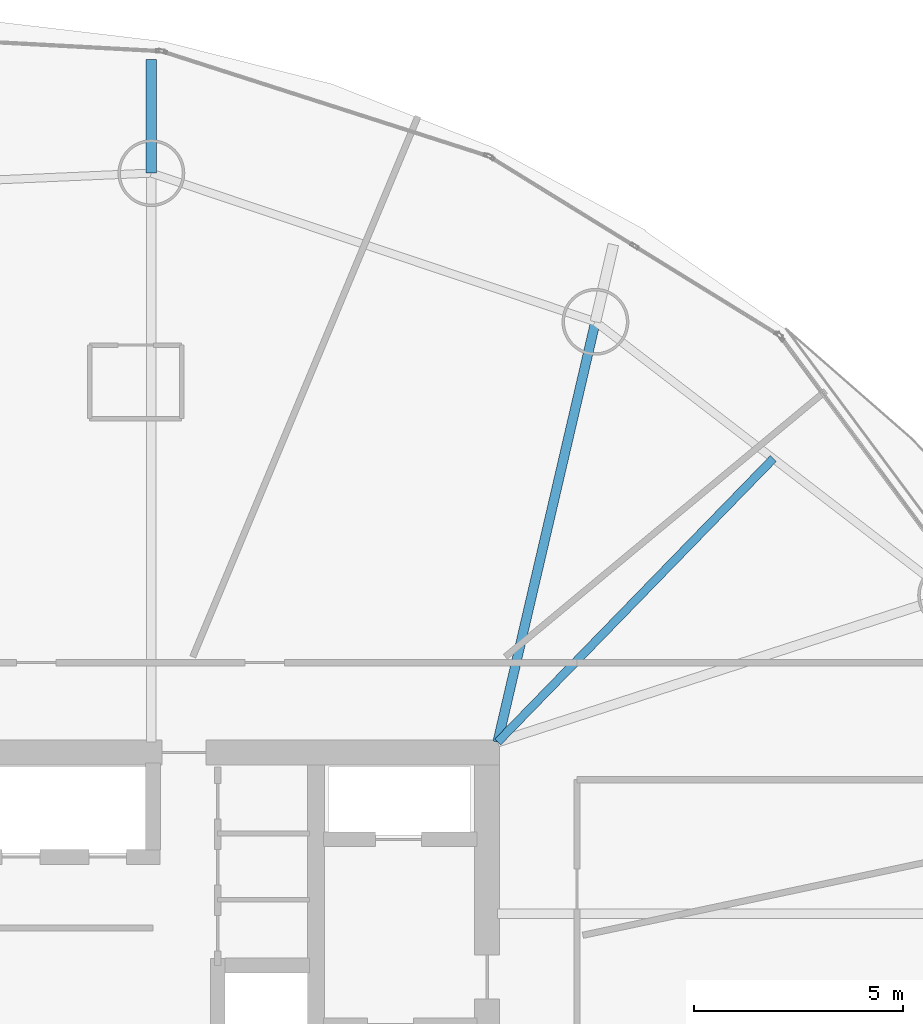
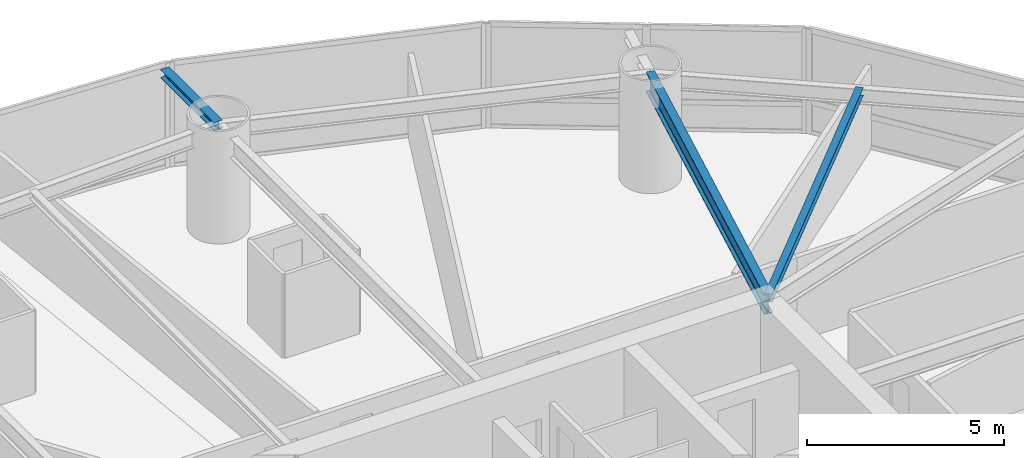
# One storey, part 15 of 26: 3 beams.
"""IFC4 building model written with IfcOpenShell, lengths in metres."""

from ifc_helpers import new_model, si_unit, direction, frame, origin, origin_2d, place, context, subcontext, project, spatial, i_section, extrude, material, material_profile, profile_set, type_object, element, save


model = new_model("IFC4")

# Units and contexts
model_context = context("Model", 3, precision=1e-05, world=origin(), true_north=direction((0.0, 1.0)))
body_context = subcontext(model_context, "Body", "Model", "MODEL_VIEW")
ifc_project = project(units=[si_unit("LENGTHUNIT", "METRE"), si_unit("AREAUNIT", "SQUARE_METRE"), si_unit("VOLUMEUNIT", "CUBIC_METRE"), si_unit("PLANEANGLEUNIT", "RADIAN"), si_unit("MASSUNIT", "GRAM", prefix="KILO")], contexts=[model_context])

# Site, building, storey
site_placement = place(None, origin())
site = spatial("IfcSite", under=ifc_project, at=site_placement, CompositionType="ELEMENT")
building_placement = place(site_placement, origin())
building = spatial("IfcBuilding", under=site, at=building_placement, Name="Bramvorn Convention Spire", CompositionType="ELEMENT")
storey_placement = place(building_placement, frame((0.0, 0.0, 76.39990234375)))
storey = spatial("IfcBuildingStorey", under=building, at=storey_placement, Name="L17", CompositionType="ELEMENT", Elevation=76.39990234375)

# Beams
ifc_material = material(Name="Steel CSA G40.21 Grade 350 (350W)", Category="steel")
ifc_material_profile_1 = material_profile(ifc_material, i_section(OverallWidth=0.201904296875, OverallDepth=0.2470703125, WebThickness=0.00732421875, FlangeThickness=0.010986328125, FilletRadius=0.011962890625, at=origin_2d()))
ifc_profile_set_1 = profile_set([ifc_material_profile_1], Name="Steel CSA G40.21 Grade 350 (350W) - W250X49")
beam_type_1 = type_object("IfcBeamType", Name="BM-W250X49", PredefinedType="JOIST", material=ifc_profile_set_1)
beam_1_placement = place(storey_placement, frame((49.25, 33.449951171875, 3.126708984375), z_axis=(0.697170484005, 0.716905374671, 0.0), x_axis=(-0.716905374671, 0.697170484005, 0.0)))
element("IfcBeam", 1, at=beam_1_placement, inside=storey, type_object=beam_type_1, Name="L17 composite floor joist 03", PredefinedType="JOIST", context=body_context, shape_type="SweptSolid", body=[
    extrude(i_section(OverallWidth=0.201904296875, OverallDepth=0.2470703125, WebThickness=0.00732421875, FlangeThickness=0.010986328125, FilletRadius=0.011962890625, at=origin_2d()), origin(), (0.0, 0.0, 1.0), 9.4638671875),
])
ifc_material_profile_2 = material_profile(ifc_material, i_section(OverallWidth=0.25390625, OverallDepth=0.2529296875, WebThickness=0.008544921875, FlangeThickness=0.01416015625, FilletRadius=0.011962890625, at=origin_2d()))
ifc_profile_set_2 = profile_set([ifc_material_profile_2], Name="Steel CSA G40.21 Grade 350 (350W) - W250X73")
beam_type_2 = type_object("IfcBeamType", Name="BM-W250X73", PredefinedType="BEAM", material=ifc_profile_set_2)
beam_2_placement = place(storey_placement, frame((40.9609375, 47.06884765625, 3.12353515625), z_axis=(0.0, 1.0, 0.0), x_axis=(-1.0, 0.0, 0.0)))
element("IfcBeam", 2, at=beam_2_placement, inside=storey, type_object=beam_type_2, Name="L17 slab-edge cantilever tip beam MC05", PredefinedType="BEAM", context=body_context, shape_type="SweptSolid", body=[
    extrude(i_section(OverallWidth=0.25390625, OverallDepth=0.2529296875, WebThickness=0.008544921875, FlangeThickness=0.01416015625, FilletRadius=0.011962890625, at=origin_2d()), origin(), (0.0, 0.0, 1.0), 2.724365234375),
])
ifc_material_profile_3 = material_profile(ifc_material, i_section(OverallWidth=0.22998046875, OverallDepth=0.616943359375, WebThickness=0.01318359375, FlangeThickness=0.022216796875, FilletRadius=0.02001953125, at=origin_2d()))
ifc_profile_set_3 = profile_set([ifc_material_profile_3], Name="Steel CSA G40.21 Grade 350 (350W) - W610X140")
beam_type_3 = type_object("IfcBeamType", Name="BM-W610X140", PredefinedType="BEAM", material=ifc_profile_set_3)
beam_3_placement = place(storey_placement, frame((49.25, 33.449951171875, 2.941650390625), z_axis=(0.226606328522, 0.973986433106, 0.0), x_axis=(-0.973986433106, 0.226606328522, 0.0)))
element("IfcBeam", 3, at=beam_3_placement, inside=storey, type_object=beam_type_3, Name="L17 radial floor girder MC04", PredefinedType="BEAM", context=body_context, shape_type="SweptSolid", body=[
    extrude(i_section(OverallWidth=0.22998046875, OverallDepth=0.616943359375, WebThickness=0.01318359375, FlangeThickness=0.022216796875, FilletRadius=0.02001953125, at=origin_2d()), origin(), (0.0, 0.0, 1.0), 10.32763671875),
])

save(model, "model.ifc")
